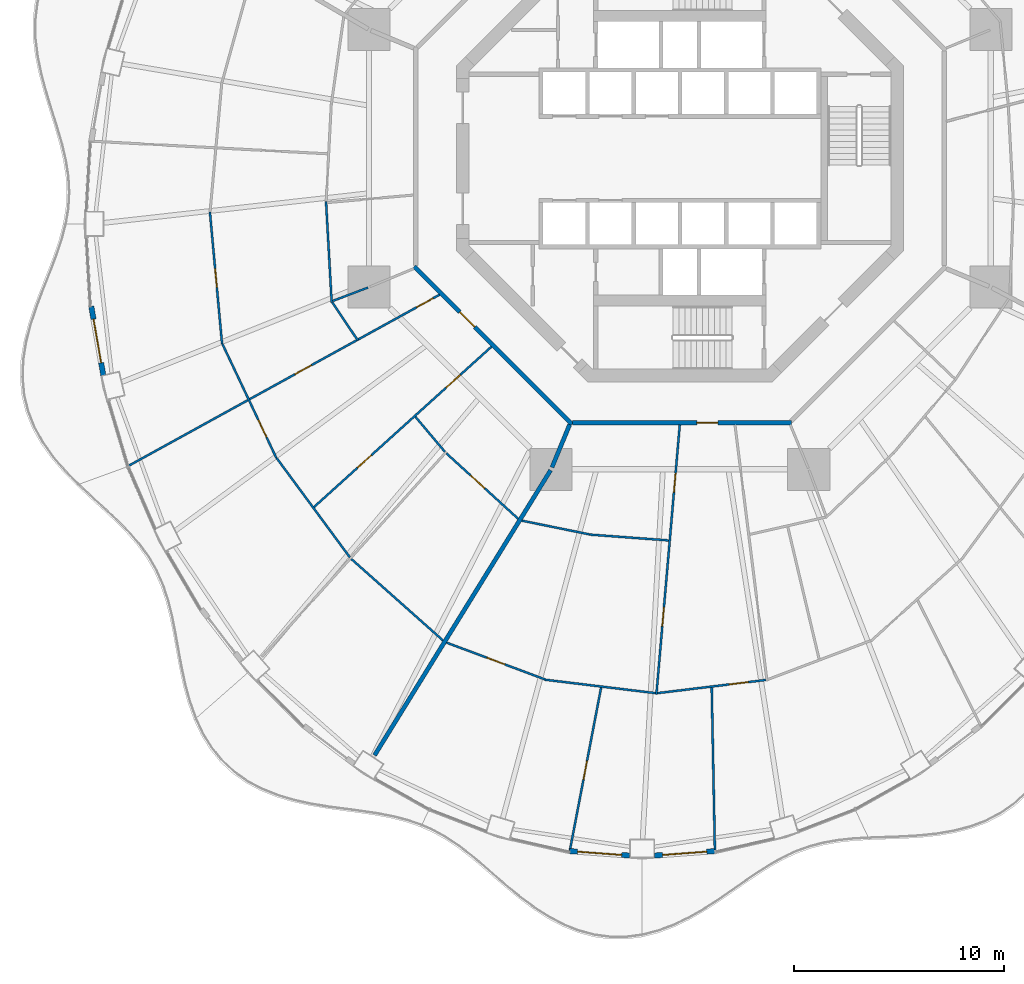
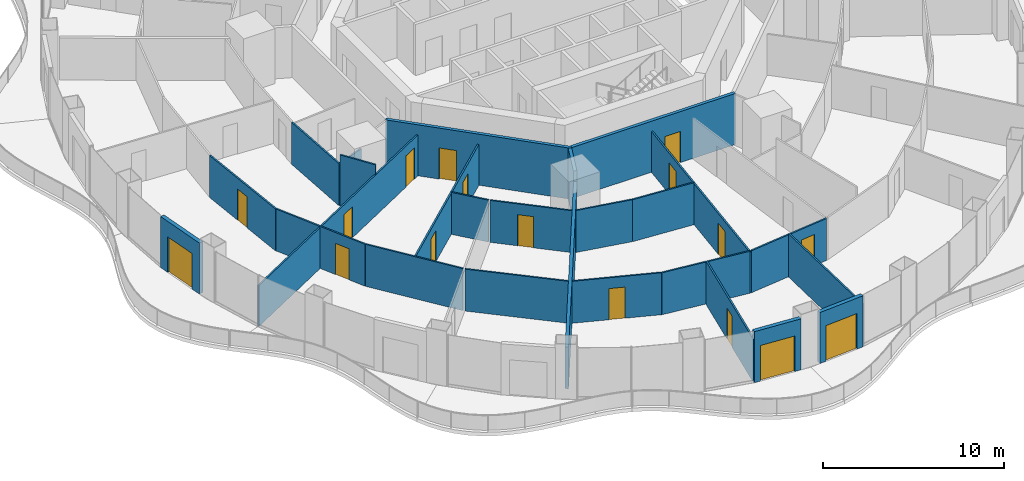
# One storey, part 13 of 21: 26 walls, 17 doors, 17 openings.
"""IFC4 building model written with IfcOpenShell, lengths in metres."""

from ifc_helpers import new_model, si_unit, direction, frame, frame_2d, origin, place, context, subcontext, project, spatial, rectangle, extrude, material, layer, layer_set, type_object, element, fill, save


model = new_model("IFC4")

# Units and contexts
model_context = context("Model", 3, precision=1e-05, world=origin(), true_north=direction((0.0, 1.0)))
body_context = subcontext(model_context, "Body", "Model", "MODEL_VIEW")
ifc_project = project(units=[si_unit("LENGTHUNIT", "METRE"), si_unit("AREAUNIT", "SQUARE_METRE"), si_unit("VOLUMEUNIT", "CUBIC_METRE"), si_unit("PLANEANGLEUNIT", "RADIAN"), si_unit("MASSUNIT", "GRAM", prefix="KILO")], contexts=[model_context])

# Site, building, storey
site_placement = place(None, origin())
site = spatial("IfcSite", under=ifc_project, at=site_placement, CompositionType="ELEMENT")
building_placement = place(site_placement, origin())
building = spatial("IfcBuilding", under=site, at=building_placement, Name="Nagisa Residences", CompositionType="ELEMENT")
storey_placement = place(building_placement, frame((0.0, 0.0, 138.10009765625)))
storey = spatial("IfcBuildingStorey", under=building, at=storey_placement, Name="L34", CompositionType="ELEMENT", Elevation=138.10009765625)

# Walls
ifc_material_1 = material(Name="Gypsum board on steel studs", Category="steel")
ifc_layer_1 = layer(ifc_material_1, 0.199951171875)
ifc_layer_set_1 = layer_set([ifc_layer_1], Name="Apartment compartment wall EI60 200")
wall_type_1 = type_object("IfcWallType", Name="Apartment compartment wall EI60 200", PredefinedType="PARTITIONING", material=ifc_layer_set_1)
wall_1_placement = place(storey_placement, frame((-5.24267578125, -12.6572265625, 0.0), z_axis=(0.0, 0.0, 1.0), x_axis=(-0.382818775282, -0.923823460025, 0.0)))
element("IfcWall", 1, at=wall_1_placement, inside=storey, type_object=wall_type_1, Name="wall:L34:u04", PredefinedType="PARTITIONING", context=body_context, shape_type="SweptSolid", body=[
    extrude(rectangle(XDim=2.200927734375, YDim=0.199951171875, at=frame_2d((1.1005859375, 0.0))), origin(), (0.0, 0.0, 1.0), 3.43994140625),
])
wall_2_placement = place(storey_placement, frame((-6.149169921875, -14.82470703125, 0.0), z_axis=(0.0, 0.0, 1.0), x_axis=(-0.525406383516, -0.85085141603, 0.0)))
element("IfcWall", 2, at=wall_2_placement, inside=storey, type_object=wall_type_1, Name="wall:L34:u05", PredefinedType="PARTITIONING", context=body_context, shape_type="SweptSolid", body=[
    extrude(rectangle(XDim=15.9248046875, YDim=0.199951171875, at=frame_2d((7.96240234375, 0.0))), origin(), (0.0, 0.0, 1.0), 2.827880859375),
])

# Wall, opening, door
ifc_material_2 = material(Name="Gypsum board on steel studs", Category="steel")
ifc_layer_2 = layer(ifc_material_2, 0.199951171875)
ifc_layer_set_2 = layer_set([ifc_layer_2], Name="Apartment entry wall EI60 200")
wall_type_2 = type_object("IfcWallType", Name="Apartment entry wall EI60 200", PredefinedType="PARTITIONING", material=ifc_layer_set_2)
wall_3_placement = place(storey_placement, frame((-12.635498046875, -5.1337890625, 0.0), z_axis=(0.0, 0.0, 1.0), x_axis=(0.707106781187, -0.707106781187, 0.0)))
wall_3 = element("IfcWall", 3, at=wall_3_placement, inside=storey, type_object=wall_type_2, Name="wall:L34:u13", PredefinedType="PARTITIONING", context=body_context, shape_type="SweptSolid", body=[
    extrude(rectangle(XDim=10.609130859375, YDim=0.199951171875, at=frame_2d((5.3046875, 0.0))), origin(), (0.0, 0.0, 1.0), 3.43994140625),
])
opening_1_placement = place(wall_3_placement, frame((3.069580078125, 0.0, 0.0)))
opening_1 = element("IfcOpeningElement", 4, at=opening_1_placement, cuts=wall_3, Name="Opening L34-U01", PredefinedType="OPENING", context=body_context, shape_type="SweptSolid", body=[
    extrude(rectangle(XDim=1.0, YDim=2.10009765625, at=frame_2d((0.5, 1.050048828125))), frame((0.0, 0.10986328125, 0.0), z_axis=(0.0, -1.0, 0.0), x_axis=(1.0, 0.0, 0.0)), (0.0, 0.0, 1.0), 0.219970703125),
])
ifc_material_3 = material(Name="Timber fire door set", Category="wood")
door_type_1 = type_object("IfcDoorType", Name="Apartment entry door FD30S 1000x2100", OperationType="NOTDEFINED", PredefinedType="DOOR", material=ifc_material_3)
door_1_placement = place(opening_1_placement, frame((1.0, 0.0, 0.0), x_axis=(-1.0, 0.0, 0.0)))
door_1 = element("IfcDoor", 5, at=door_1_placement, inside=storey, type_object=door_type_1, Name="Entry door, Apartment 34A", OperationType="SINGLE_SWING_RIGHT", OverallHeight=2.10009765625, OverallWidth=1.0, PredefinedType="DOOR", context=body_context, shape_type="SweptSolid", body=[
    extrude(rectangle(XDim=1.0, YDim=2.10009765625, at=frame_2d((0.5, 1.050048828125))), frame((0.0, 0.02490234375, 0.0), z_axis=(0.0, -1.0, 0.0), x_axis=(1.0, 0.0, 0.0)), (0.0, 0.0, 1.0), 0.050048828125),
])
fill(opening_1, door_1)

wall_4_placement = place(storey_placement, frame((-5.1044921875, -12.564697265625, 0.0), z_axis=(0.0, 0.0, 1.0), x_axis=(1.0, 0.0, 0.0)))
wall_4 = element("IfcWall", 6, at=wall_4_placement, inside=storey, type_object=wall_type_2, Name="wall:L34:u14", PredefinedType="PARTITIONING", context=body_context, shape_type="SweptSolid", body=[
    extrude(rectangle(XDim=10.408935546875, YDim=0.199951171875, at=frame_2d((5.20458984375, 0.0))), origin(), (0.0, 0.0, 1.0), 3.43994140625),
])
opening_2_placement = place(wall_4_placement, frame((5.905517578125, 0.0, 0.0)))
opening_2 = element("IfcOpeningElement", 7, at=opening_2_placement, cuts=wall_4, Name="Opening L34-U14", PredefinedType="OPENING", context=body_context, shape_type="SweptSolid", body=[
    extrude(rectangle(XDim=1.0, YDim=2.10009765625, at=frame_2d((0.5, 1.050048828125))), frame((0.0, 0.10986328125, 0.0), z_axis=(0.0, -1.0, 0.0), x_axis=(1.0, 0.0, 0.0)), (0.0, 0.0, 1.0), 0.219970703125),
])
door_2_placement = place(opening_2_placement, frame((1.0, 0.0, 0.0), x_axis=(-1.0, 0.0, 0.0)))
door_2 = element("IfcDoor", 8, at=door_2_placement, inside=storey, type_object=door_type_1, Name="Entry door, Apartment 34B", OperationType="SINGLE_SWING_LEFT", OverallHeight=2.10009765625, OverallWidth=1.0, PredefinedType="DOOR", context=body_context, shape_type="SweptSolid", body=[
    extrude(rectangle(XDim=1.0, YDim=2.10009765625, at=frame_2d((0.5, 1.050048828125))), frame((0.0, 0.02490234375, 0.0), z_axis=(0.0, -1.0, 0.0), x_axis=(1.0, 0.0, 0.0)), (0.0, 0.0, 1.0), 0.050048828125),
])
fill(opening_2, door_2)

# Wall
ifc_material_4 = material(Name="Gypsum board on steel studs", Category="steel")
ifc_layer_3 = layer(ifc_material_4, 0.10009765625)
ifc_layer_set_3 = layer_set([ifc_layer_3], Name="Apartment partition 100")
wall_type_3 = type_object("IfcWallType", Name="Apartment partition 100", PredefinedType="PARTITIONING", material=ifc_layer_set_3)
wall_5_placement = place(storey_placement, frame((-16.825439453125, -2.058349609375, 0.0), z_axis=(0.0, 0.0, 1.0), x_axis=(0.055971643802, -0.998432358796, 0.0)))
element("IfcWall", 9, at=wall_5_placement, inside=storey, type_object=wall_type_3, Name="wall:L34:u56", PredefinedType="PARTITIONING", context=body_context, shape_type="SweptSolid", body=[
    extrude(rectangle(XDim=4.798095703125, YDim=0.10009765625, at=frame_2d((2.39892578125, 0.0))), origin(), (0.0, 0.0, 1.0), 2.827880859375),
])

# Wall, opening, door
wall_6_placement = place(storey_placement, frame((-22.346923828125, -2.54248046875, 0.0), z_axis=(0.0, 0.0, 1.0), x_axis=(0.091783634244, -0.995778973711, 0.0)))
wall_6 = element("IfcWall", 10, at=wall_6_placement, inside=storey, type_object=wall_type_3, Name="wall:L34:u57", PredefinedType="PARTITIONING", context=body_context, shape_type="SweptSolid", body=[
    extrude(rectangle(XDim=6.314697265625, YDim=0.10009765625, at=frame_2d((3.1572265625, 0.0))), origin(), (0.0, 0.0, 1.0), 2.827880859375),
])
opening_3_placement = place(wall_6_placement, frame((2.70751953125, 0.0, 0.0)))
opening_3 = element("IfcOpeningElement", 11, at=opening_3_placement, cuts=wall_6, Name="Opening L34-U07", PredefinedType="OPENING", context=body_context, shape_type="SweptSolid", body=[
    extrude(rectangle(XDim=0.89990234375, YDim=2.10009765625, at=frame_2d((0.449951171875, 1.050048828125))), frame((0.0, 0.06005859375, 0.0), z_axis=(0.0, -1.0, 0.0), x_axis=(1.0, 0.0, 0.0)), (0.0, 0.0, 1.0), 0.1201171875),
])
ifc_material_5 = material(Name="Timber door set", Category="wood")
door_type_2 = type_object("IfcDoorType", Name="Apartment door 900x2100", OperationType="NOTDEFINED", PredefinedType="DOOR", material=ifc_material_5)
door_3_placement = place(opening_3_placement, frame((0.89990234375, 0.0, 0.0), x_axis=(-1.0, 0.0, 0.0)))
door_3 = element("IfcDoor", 12, at=door_3_placement, inside=storey, type_object=door_type_2, Name="Door to family room, Apartment 34A", OperationType="SINGLE_SWING_RIGHT", OverallHeight=2.10009765625, OverallWidth=0.89990234375, PredefinedType="DOOR", context=body_context, shape_type="SweptSolid", body=[
    extrude(rectangle(XDim=0.89990234375, YDim=2.10009765625, at=frame_2d((0.449951171875, 1.050048828125))), frame((0.0, 0.02490234375, 0.0), z_axis=(0.0, -1.0, 0.0), x_axis=(1.0, 0.0, 0.0)), (0.0, 0.0, 1.0), 0.050048828125),
])
fill(opening_3, door_3)

# Walls
wall_7_placement = place(storey_placement, frame((-14.828857421875, -6.140625, 0.0), z_axis=(0.0, 0.0, 1.0), x_axis=(-0.934704367514, -0.355426146128, 0.0)))
element("IfcWall", 13, at=wall_7_placement, inside=storey, type_object=wall_type_3, Name="wall:L34:u59", PredefinedType="PARTITIONING", context=body_context, shape_type="SweptSolid", body=[
    extrude(rectangle(XDim=1.8017578125, YDim=0.10009765625, at=frame_2d((0.90087890625, 0.0))), origin(), (0.0, 0.0, 1.0), 2.827880859375),
])
wall_8_placement = place(storey_placement, frame((-16.53173828125, -6.84033203125, 0.0), z_axis=(0.0, 0.0, 1.0), x_axis=(0.556994773624, -0.830515997531, 0.0)))
element("IfcWall", 14, at=wall_8_placement, inside=storey, type_object=wall_type_3, Name="wall:L34:u60", PredefinedType="PARTITIONING", context=body_context, shape_type="SweptSolid", body=[
    extrude(rectangle(XDim=2.183349609375, YDim=0.10009765625, at=frame_2d((1.091796875, 0.0))), origin(), (0.0, 0.0, 1.0), 3.43994140625),
])

# Wall, opening, door
wall_9_placement = place(storey_placement, frame((-21.75048828125, -8.826171875, 0.0), z_axis=(0.0, 0.0, 1.0), x_axis=(0.427736419988, -0.903903509793, 0.0)))
wall_9 = element("IfcWall", 15, at=wall_9_placement, inside=storey, type_object=wall_type_3, Name="wall:L34:u61", PredefinedType="PARTITIONING", context=body_context, shape_type="SweptSolid", body=[
    extrude(rectangle(XDim=5.998779296875, YDim=0.10009765625, at=frame_2d((2.99951171875, 0.0))), origin(), (0.0, 0.0, 1.0), 2.827880859375),
])
opening_4_placement = place(wall_9_placement, frame((3.999267578125, 0.0, 0.0)))
opening_4 = element("IfcOpeningElement", 16, at=opening_4_placement, cuts=wall_9, Name="Opening L34-U08", PredefinedType="OPENING", context=body_context, shape_type="SweptSolid", body=[
    extrude(rectangle(XDim=0.89990234375, YDim=2.10009765625, at=frame_2d((0.449951171875, 1.050048828125))), frame((0.0, 0.06005859375, 0.0), z_axis=(0.0, -1.0, 0.0), x_axis=(1.0, 0.0, 0.0)), (0.0, 0.0, 1.0), 0.1201171875),
])
door_4_placement = place(opening_4_placement, frame((0.89990234375, 0.0, 0.0), x_axis=(-1.0, 0.0, 0.0)))
door_4 = element("IfcDoor", 17, at=door_4_placement, inside=storey, type_object=door_type_2, Name="Door to living room, Apartment 34A", OperationType="SINGLE_SWING_LEFT", OverallHeight=2.10009765625, OverallWidth=0.89990234375, PredefinedType="DOOR", context=body_context, shape_type="SweptSolid", body=[
    extrude(rectangle(XDim=0.89990234375, YDim=2.10009765625, at=frame_2d((0.449951171875, 1.050048828125))), frame((0.0, 0.02490234375, 0.0), z_axis=(0.0, -1.0, 0.0), x_axis=(1.0, 0.0, 0.0)), (0.0, 0.0, 1.0), 0.050048828125),
])
fill(opening_4, door_4)

# Wall, openings, doors
wall_10_placement = place(storey_placement, frame((-11.42578125, -6.4794921875, 0.0), z_axis=(0.0, 0.0, 1.0), x_axis=(-0.876110392495, -0.482110547657, 0.0)))
wall_10 = element("IfcWall", 18, at=wall_10_placement, inside=storey, type_object=wall_type_3, Name="wall:L34:u62", PredefinedType="PARTITIONING", context=body_context, shape_type="SweptSolid", body=[
    extrude(rectangle(XDim=16.954833984375, YDim=0.10009765625, at=frame_2d((8.4775390625, 0.0))), origin(), (0.0, 0.0, 1.0), 2.755859375),
])
opening_5_placement = place(wall_10_placement, frame((0.35009765625, 0.0, 0.0)))
opening_5 = element("IfcOpeningElement", 19, at=opening_5_placement, cuts=wall_10, Name="Opening L34-U02", PredefinedType="OPENING", context=body_context, shape_type="SweptSolid", body=[
    extrude(rectangle(XDim=0.89990234375, YDim=2.10009765625, at=frame_2d((0.449951171875, 1.050048828125))), frame((0.0, 0.06005859375, 0.0), z_axis=(0.0, -1.0, 0.0), x_axis=(1.0, 0.0, 0.0)), (0.0, 0.0, 1.0), 0.1201171875),
])
opening_6_placement = place(wall_10_placement, frame((6.956787109375, 0.0, 0.0)))
opening_6 = element("IfcOpeningElement", 20, at=opening_6_placement, cuts=wall_10, Name="Opening L34-U04", PredefinedType="OPENING", context=body_context, shape_type="SweptSolid", body=[
    extrude(rectangle(XDim=0.89990234375, YDim=2.10009765625, at=frame_2d((0.449951171875, 1.050048828125))), frame((0.0, 0.06005859375, 0.0), z_axis=(0.0, -1.0, 0.0), x_axis=(1.0, 0.0, 0.0)), (0.0, 0.0, 1.0), 0.1201171875),
])
door_5_placement = place(opening_5_placement, frame((0.89990234375, 0.0, 0.0), x_axis=(-1.0, 0.0, 0.0)))
door_5 = element("IfcDoor", 21, at=door_5_placement, inside=storey, type_object=door_type_2, Name="Door to family bathroom, Apartment 34A", OperationType="SINGLE_SWING_LEFT", OverallHeight=2.10009765625, OverallWidth=0.89990234375, PredefinedType="DOOR", context=body_context, shape_type="SweptSolid", body=[
    extrude(rectangle(XDim=0.89990234375, YDim=2.10009765625, at=frame_2d((0.449951171875, 1.050048828125))), frame((0.0, 0.02490234375, 0.0), z_axis=(0.0, -1.0, 0.0), x_axis=(1.0, 0.0, 0.0)), (0.0, 0.0, 1.0), 0.050048828125),
])
fill(opening_5, door_5)
door_6_placement = place(opening_6_placement, frame((0.89990234375, 0.0, 0.0), x_axis=(-1.0, 0.0, 0.0)))
door_6 = element("IfcDoor", 22, at=door_6_placement, inside=storey, type_object=door_type_2, Name="Door to dining room, Apartment 34A", OperationType="SINGLE_SWING_LEFT", OverallHeight=2.10009765625, OverallWidth=0.89990234375, PredefinedType="DOOR", context=body_context, shape_type="SweptSolid", body=[
    extrude(rectangle(XDim=0.89990234375, YDim=2.10009765625, at=frame_2d((0.449951171875, 1.050048828125))), frame((0.0, 0.02490234375, 0.0), z_axis=(0.0, -1.0, 0.0), x_axis=(1.0, 0.0, 0.0)), (0.0, 0.0, 1.0), 0.050048828125),
])
fill(opening_6, door_6)

# Wall
wall_11_placement = place(storey_placement, frame((-19.17626953125, -14.24365234375, 0.0), z_axis=(0.0, 0.0, 1.0), x_axis=(0.593532053206, -0.80481035146, 0.0)))
element("IfcWall", 23, at=wall_11_placement, inside=storey, type_object=wall_type_3, Name="wall:L34:u63", PredefinedType="PARTITIONING", context=body_context, shape_type="SweptSolid", body=[
    extrude(rectangle(XDim=5.8759765625, YDim=0.10009765625, at=frame_2d((2.93798828125, 0.0))), origin(), (0.0, 0.0, 1.0), 2.827880859375),
])

# Wall, openings, doors
wall_12_placement = place(storey_placement, frame((-8.958740234375, -8.95166015625, 0.0), z_axis=(0.0, 0.0, 1.0), x_axis=(-0.741982736283, -0.670418987692, 0.0)))
wall_12 = element("IfcWall", 24, at=wall_12_placement, inside=storey, type_object=wall_type_3, Name="wall:L34:u64", PredefinedType="PARTITIONING", context=body_context, shape_type="SweptSolid", body=[
    extrude(rectangle(XDim=11.37060546875, YDim=0.10009765625, at=frame_2d((5.685302734375, 0.0))), origin(), (0.0, 0.0, 1.0), 2.755859375),
])
opening_7_placement = place(wall_12_placement, frame((2.008544921875, 0.0, 0.0)))
opening_7 = element("IfcOpeningElement", 25, at=opening_7_placement, cuts=wall_12, Name="Opening L34-U03", PredefinedType="OPENING", context=body_context, shape_type="SweptSolid", body=[
    extrude(rectangle(XDim=0.89990234375, YDim=2.10009765625, at=frame_2d((0.449951171875, 1.050048828125))), frame((0.0, 0.06005859375, 0.0), z_axis=(0.0, -1.0, 0.0), x_axis=(1.0, 0.0, 0.0)), (0.0, 0.0, 1.0), 0.1201171875),
])
opening_8_placement = place(wall_12_placement, frame((7.693603515625, 0.0, 0.0)))
opening_8 = element("IfcOpeningElement", 26, at=opening_8_placement, cuts=wall_12, Name="Opening L34-U05", PredefinedType="OPENING", context=body_context, shape_type="SweptSolid", body=[
    extrude(rectangle(XDim=0.89990234375, YDim=2.10009765625, at=frame_2d((0.449951171875, 1.050048828125))), frame((0.0, 0.06005859375, 0.0), z_axis=(0.0, -1.0, 0.0), x_axis=(1.0, 0.0, 0.0)), (0.0, 0.0, 1.0), 0.1201171875),
])
door_7_placement = place(opening_7_placement, origin())
door_7 = element("IfcDoor", 27, at=door_7_placement, inside=storey, type_object=door_type_2, Name="Door to laundry, Apartment 34A", OperationType="SINGLE_SWING_LEFT", OverallHeight=2.10009765625, OverallWidth=0.89990234375, PredefinedType="DOOR", context=body_context, shape_type="SweptSolid", body=[
    extrude(rectangle(XDim=0.89990234375, YDim=2.10009765625, at=frame_2d((0.449951171875, 1.050048828125))), frame((0.0, 0.02490234375, 0.0), z_axis=(0.0, -1.0, 0.0), x_axis=(1.0, 0.0, 0.0)), (0.0, 0.0, 1.0), 0.050048828125),
])
fill(opening_7, door_7)
door_8_placement = place(opening_8_placement, origin())
door_8 = element("IfcDoor", 28, at=door_8_placement, inside=storey, type_object=door_type_2, Name="Door to family bathroom, Apartment 34A", OperationType="SINGLE_SWING_LEFT", OverallHeight=2.10009765625, OverallWidth=0.89990234375, PredefinedType="DOOR", context=body_context, shape_type="SweptSolid", body=[
    extrude(rectangle(XDim=0.89990234375, YDim=2.10009765625, at=frame_2d((0.449951171875, 1.050048828125))), frame((0.0, 0.02490234375, 0.0), z_axis=(0.0, -1.0, 0.0), x_axis=(1.0, 0.0, 0.0)), (0.0, 0.0, 1.0), 0.050048828125),
])
fill(opening_8, door_8)

# Wall
wall_13_placement = place(storey_placement, frame((-12.574951171875, -12.286376953125, 0.0), z_axis=(0.0, 0.0, 1.0), x_axis=(0.644052758448, -0.764981074495, 0.0)))
element("IfcWall", 29, at=wall_13_placement, inside=storey, type_object=wall_type_3, Name="wall:L34:u65", PredefinedType="PARTITIONING", context=body_context, shape_type="SweptSolid", body=[
    extrude(rectangle(XDim=2.17431640625, YDim=0.10009765625, at=frame_2d((1.087158203125, 0.0))), origin(), (0.0, 0.0, 1.0), 2.827880859375),
])

# Wall, opening, door
wall_14_placement = place(storey_placement, frame((-11.10546875, -14.021484375, 0.0), z_axis=(0.0, 0.0, 1.0), x_axis=(0.738880014758, -0.673837015747, 0.0)))
wall_14 = element("IfcWall", 30, at=wall_14_placement, inside=storey, type_object=wall_type_3, Name="wall:L34:u67", PredefinedType="PARTITIONING", context=body_context, shape_type="SweptSolid", body=[
    extrude(rectangle(XDim=4.62060546875, YDim=0.10009765625, at=frame_2d((2.310302734375, 0.0))), origin(), (0.0, 0.0, 1.0), 2.827880859375),
])
opening_9_placement = place(wall_14_placement, frame((1.55810546875, 0.0, 0.0)))
opening_9 = element("IfcOpeningElement", 31, at=opening_9_placement, cuts=wall_14, Name="Opening L34-U06", PredefinedType="OPENING", context=body_context, shape_type="SweptSolid", body=[
    extrude(rectangle(XDim=0.89990234375, YDim=2.10009765625, at=frame_2d((0.449951171875, 1.050048828125))), frame((0.0, 0.06005859375, 0.0), z_axis=(0.0, -1.0, 0.0), x_axis=(1.0, 0.0, 0.0)), (0.0, 0.0, 1.0), 0.1201171875),
])
door_9_placement = place(opening_9_placement, frame((0.89990234375, 0.0, 0.0), x_axis=(-1.0, 0.0, 0.0)))
door_9 = element("IfcDoor", 32, at=door_9_placement, inside=storey, type_object=door_type_2, Name="Door to dining room, Apartment 34A", OperationType="SINGLE_SWING_LEFT", OverallHeight=2.10009765625, OverallWidth=0.89990234375, PredefinedType="DOOR", context=body_context, shape_type="SweptSolid", body=[
    extrude(rectangle(XDim=0.89990234375, YDim=2.10009765625, at=frame_2d((0.449951171875, 1.050048828125))), frame((0.0, 0.02490234375, 0.0), z_axis=(0.0, -1.0, 0.0), x_axis=(1.0, 0.0, 0.0)), (0.0, 0.0, 1.0), 0.050048828125),
])
fill(opening_9, door_9)

# Walls
wall_15_placement = place(storey_placement, frame((-15.621826171875, -19.046142578125, 0.0), z_axis=(0.0, 0.0, 1.0), x_axis=(0.747342322463, -0.664439201925, 0.0)))
element("IfcWall", 33, at=wall_15_placement, inside=storey, type_object=wall_type_3, Name="wall:L34:u68", PredefinedType="PARTITIONING", context=body_context, shape_type="SweptSolid", body=[
    extrude(rectangle(XDim=5.830810546875, YDim=0.10009765625, at=frame_2d((2.91552734375, 0.0))), origin(), (0.0, 0.0, 1.0), 2.827880859375),
])
wall_16_placement = place(storey_placement, frame((-7.51953125, -17.222412109375, 0.0), z_axis=(0.0, 0.0, 1.0), x_axis=(0.979972193175, -0.199134378255, 0.0)))
element("IfcWall", 34, at=wall_16_placement, inside=storey, type_object=wall_type_3, Name="wall:L34:u69", PredefinedType="PARTITIONING", context=body_context, shape_type="SweptSolid", body=[
    extrude(rectangle(XDim=3.296630859375, YDim=0.10009765625, at=frame_2d((1.6484375, 0.0))), origin(), (0.0, 0.0, 1.0), 2.827880859375),
])

# Wall, opening, door
wall_17_placement = place(storey_placement, frame((-11.095703125, -23.02197265625, 0.0), z_axis=(0.0, 0.0, 1.0), x_axis=(0.936725688471, -0.350064257758, 0.0)))
wall_17 = element("IfcWall", 35, at=wall_17_placement, inside=storey, type_object=wall_type_3, Name="wall:L34:u70", PredefinedType="PARTITIONING", context=body_context, shape_type="SweptSolid", body=[
    extrude(rectangle(XDim=5.002685546875, YDim=0.10009765625, at=frame_2d((2.50146484375, 0.0))), origin(), (0.0, 0.0, 1.0), 2.827880859375),
])
opening_10_placement = place(wall_17_placement, frame((2.05126953125, 0.0, 0.0)))
opening_10 = element("IfcOpeningElement", 36, at=opening_10_placement, cuts=wall_17, Name="Opening L34-U19", PredefinedType="OPENING", context=body_context, shape_type="SweptSolid", body=[
    extrude(rectangle(XDim=0.89990234375, YDim=2.10009765625, at=frame_2d((0.449951171875, 1.050048828125))), frame((0.0, 0.06005859375, 0.0), z_axis=(0.0, -1.0, 0.0), x_axis=(1.0, 0.0, 0.0)), (0.0, 0.0, 1.0), 0.1201171875),
])
door_10_placement = place(opening_10_placement, frame((0.89990234375, 0.0, 0.0), x_axis=(-1.0, 0.0, 0.0)))
door_10 = element("IfcDoor", 37, at=door_10_placement, inside=storey, type_object=door_type_2, Name="Door to dining room, Apartment 34B", OperationType="SINGLE_SWING_RIGHT", OverallHeight=2.10009765625, OverallWidth=0.89990234375, PredefinedType="DOOR", context=body_context, shape_type="SweptSolid", body=[
    extrude(rectangle(XDim=0.89990234375, YDim=2.10009765625, at=frame_2d((0.449951171875, 1.050048828125))), frame((0.0, 0.02490234375, 0.0), z_axis=(0.0, -1.0, 0.0), x_axis=(1.0, 0.0, 0.0)), (0.0, 0.0, 1.0), 0.050048828125),
])
fill(opening_10, door_10)

# Walls
wall_18_placement = place(storey_placement, frame((-4.289794921875, -17.88525390625, 0.0), z_axis=(0.0, 0.0, 1.0), x_axis=(0.997272353708, -0.073809569363, 0.0)))
element("IfcWall", 38, at=wall_18_placement, inside=storey, type_object=wall_type_3, Name="wall:L34:u71", PredefinedType="PARTITIONING", context=body_context, shape_type="SweptSolid", body=[
    extrude(rectangle(XDim=3.76416015625, YDim=0.10009765625, at=frame_2d((1.882080078125, 0.0))), origin(), (0.0, 0.0, 1.0), 2.827880859375),
])
wall_19_placement = place(storey_placement, frame((-6.41259765625, -24.784423828125, 0.0), z_axis=(0.0, 0.0, 1.0), x_axis=(0.992690077723, -0.120691381588, 0.0)))
element("IfcWall", 39, at=wall_19_placement, inside=storey, type_object=wall_type_3, Name="wall:L34:u72", PredefinedType="PARTITIONING", context=body_context, shape_type="SweptSolid", body=[
    extrude(rectangle(XDim=5.28564453125, YDim=0.10009765625, at=frame_2d((2.642822265625, 0.0))), origin(), (0.0, 0.0, 1.0), 2.827880859375),
])

# Wall, opening, door
wall_20_placement = place(storey_placement, frame((-3.748779296875, -25.15869140625, 0.0), z_axis=(0.0, 0.0, 1.0), x_axis=(-0.188392334675, -0.982093848996, 0.0)))
wall_20 = element("IfcWall", 40, at=wall_20_placement, inside=storey, type_object=wall_type_3, Name="wall:L34:u73", PredefinedType="PARTITIONING", context=body_context, shape_type="SweptSolid", body=[
    extrude(rectangle(XDim=7.999755859375, YDim=0.10009765625, at=frame_2d((4.0, 0.0))), origin(), (0.0, 0.0, 1.0), 2.90478515625),
])
opening_11_placement = place(wall_20_placement, frame((3.5498046875, 0.0, 0.0)))
opening_11 = element("IfcOpeningElement", 41, at=opening_11_placement, cuts=wall_20, Name="Opening L34-U20", PredefinedType="OPENING", context=body_context, shape_type="SweptSolid", body=[
    extrude(rectangle(XDim=0.89990234375, YDim=2.10009765625, at=frame_2d((0.449951171875, 1.050048828125))), frame((0.0, 0.06005859375, 0.0), z_axis=(0.0, -1.0, 0.0), x_axis=(1.0, 0.0, 0.0)), (0.0, 0.0, 1.0), 0.1201171875),
])
door_11_placement = place(opening_11_placement, origin())
door_11 = element("IfcDoor", 42, at=door_11_placement, inside=storey, type_object=door_type_2, Name="Door to master bedroom, Apartment 34B", OperationType="SINGLE_SWING_RIGHT", OverallHeight=2.10009765625, OverallWidth=0.89990234375, PredefinedType="DOOR", context=body_context, shape_type="SweptSolid", body=[
    extrude(rectangle(XDim=0.89990234375, YDim=2.10009765625, at=frame_2d((0.449951171875, 1.050048828125))), frame((0.0, 0.02490234375, 0.0), z_axis=(0.0, -1.0, 0.0), x_axis=(1.0, 0.0, 0.0)), (0.0, 0.0, 1.0), 0.050048828125),
])
fill(opening_11, door_11)

# Wall, openings, doors
wall_21_placement = place(storey_placement, frame((-0.008544921875, -12.664306640625, 0.0), z_axis=(0.0, 0.0, 1.0), x_axis=(-0.086441225464, -0.996256952066, 0.0)))
wall_21 = element("IfcWall", 43, at=wall_21_placement, inside=storey, type_object=wall_type_3, Name="wall:L34:u74", PredefinedType="PARTITIONING", context=body_context, shape_type="SweptSolid", body=[
    extrude(rectangle(XDim=12.862060546875, YDim=0.10009765625, at=frame_2d((6.43115234375, 0.0))), origin(), (0.0, 0.0, 1.0), 2.755859375),
])
opening_12_placement = place(wall_21_placement, frame((2.3115234375, 0.0, 0.0)))
opening_12 = element("IfcOpeningElement", 44, at=opening_12_placement, cuts=wall_21, Name="Opening L34-U15", PredefinedType="OPENING", context=body_context, shape_type="SweptSolid", body=[
    extrude(rectangle(XDim=0.89990234375, YDim=2.10009765625, at=frame_2d((0.449951171875, 1.050048828125))), frame((0.0, 0.06005859375, 0.0), z_axis=(0.0, -1.0, 0.0), x_axis=(1.0, 0.0, 0.0)), (0.0, 0.0, 1.0), 0.1201171875),
])
opening_13_placement = place(wall_21_placement, frame((8.717529296875, 0.0, 0.0)))
opening_13 = element("IfcOpeningElement", 45, at=opening_13_placement, cuts=wall_21, Name="Opening L34-U17", PredefinedType="OPENING", context=body_context, shape_type="SweptSolid", body=[
    extrude(rectangle(XDim=0.89990234375, YDim=2.10009765625, at=frame_2d((0.449951171875, 1.050048828125))), frame((0.0, 0.06005859375, 0.0), z_axis=(0.0, -1.0, 0.0), x_axis=(1.0, 0.0, 0.0)), (0.0, 0.0, 1.0), 0.1201171875),
])
door_12_placement = place(opening_12_placement, frame((0.89990234375, 0.0, 0.0), x_axis=(-1.0, 0.0, 0.0)))
door_12 = element("IfcDoor", 46, at=door_12_placement, inside=storey, type_object=door_type_2, Name="Door to store, Apartment 34B", OperationType="SINGLE_SWING_RIGHT", OverallHeight=2.10009765625, OverallWidth=0.89990234375, PredefinedType="DOOR", context=body_context, shape_type="SweptSolid", body=[
    extrude(rectangle(XDim=0.89990234375, YDim=2.10009765625, at=frame_2d((0.449951171875, 1.050048828125))), frame((0.0, 0.02490234375, 0.0), z_axis=(0.0, -1.0, 0.0), x_axis=(1.0, 0.0, 0.0)), (0.0, 0.0, 1.0), 0.050048828125),
])
fill(opening_12, door_12)
door_13_placement = place(opening_13_placement, frame((0.89990234375, 0.0, 0.0), x_axis=(-1.0, 0.0, 0.0)))
door_13 = element("IfcDoor", 47, at=door_13_placement, inside=storey, type_object=door_type_2, Name="Door to dining room, Apartment 34B", OperationType="SINGLE_SWING_RIGHT", OverallHeight=2.10009765625, OverallWidth=0.89990234375, PredefinedType="DOOR", context=body_context, shape_type="SweptSolid", body=[
    extrude(rectangle(XDim=0.89990234375, YDim=2.10009765625, at=frame_2d((0.449951171875, 1.050048828125))), frame((0.0, 0.02490234375, 0.0), z_axis=(0.0, -1.0, 0.0), x_axis=(1.0, 0.0, 0.0)), (0.0, 0.0, 1.0), 0.050048828125),
])
fill(opening_13, door_13)

# Wall, opening, door
wall_22_placement = place(storey_placement, frame((-1.06640625, -25.42236328125, 0.0), z_axis=(0.0, 0.0, 1.0), x_axis=(0.992692993044, 0.120667400577, 0.0)))
wall_22 = element("IfcWall", 48, at=wall_22_placement, inside=storey, type_object=wall_type_3, Name="wall:L34:u75", PredefinedType="PARTITIONING", context=body_context, shape_type="SweptSolid", body=[
    extrude(rectangle(XDim=5.185546875, YDim=0.10009765625, at=frame_2d((2.5927734375, 0.0))), origin(), (0.0, 0.0, 1.0), 2.827880859375),
])
opening_14_placement = place(wall_22_placement, frame((3.439208984375, 0.0, 0.0)))
opening_14 = element("IfcOpeningElement", 49, at=opening_14_placement, cuts=wall_22, Name="Opening L34-U21", PredefinedType="OPENING", context=body_context, shape_type="SweptSolid", body=[
    extrude(rectangle(XDim=0.89990234375, YDim=2.10009765625, at=frame_2d((0.449951171875, 1.050048828125))), frame((0.0, 0.06005859375, 0.0), z_axis=(0.0, -1.0, 0.0), x_axis=(1.0, 0.0, 0.0)), (0.0, 0.0, 1.0), 0.1201171875),
])
door_14_placement = place(opening_14_placement, frame((0.89990234375, 0.0, 0.0), x_axis=(-1.0, 0.0, 0.0)))
door_14 = element("IfcDoor", 50, at=door_14_placement, inside=storey, type_object=door_type_2, Name="Door to living room, Apartment 34B", OperationType="SINGLE_SWING_RIGHT", OverallHeight=2.10009765625, OverallWidth=0.89990234375, PredefinedType="DOOR", context=body_context, shape_type="SweptSolid", body=[
    extrude(rectangle(XDim=0.89990234375, YDim=2.10009765625, at=frame_2d((0.449951171875, 1.050048828125))), frame((0.0, 0.02490234375, 0.0), z_axis=(0.0, -1.0, 0.0), x_axis=(1.0, 0.0, 0.0)), (0.0, 0.0, 1.0), 0.050048828125),
])
fill(opening_14, door_14)

# Wall
wall_23_placement = place(storey_placement, frame((1.50830078125, -25.159423828125, 0.0), z_axis=(0.0, 0.0, 1.0), x_axis=(0.019670464527, -0.999806517695, 0.0)))
element("IfcWall", 51, at=wall_23_placement, inside=storey, type_object=wall_type_3, Name="wall:L34:u76", PredefinedType="PARTITIONING", context=body_context, shape_type="SweptSolid", body=[
    extrude(rectangle(XDim=7.8564453125, YDim=0.10009765625, at=frame_2d((3.92822265625, 0.0))), origin(), (0.0, 0.0, 1.0), 2.90478515625),
])

# Wall, opening, door
ifc_material_6 = material(Name="Precast concrete C40/50", Category="concrete")
ifc_layer_4 = layer(ifc_material_6, 0.25)
ifc_layer_set_4 = layer_set([ifc_layer_4], Name="BALCONY DOOR WALL 250")
wall_type_4 = type_object("IfcWallType", Name="BALCONY DOOR WALL 250", PredefinedType="SOLIDWALL", material=ifc_layer_set_4)
wall_24_placement = place(storey_placement, frame((-27.4111328125, -10.320068359375, 0.0), z_axis=(0.0, 0.0, 1.0), x_axis=(-0.172163521006, 0.985068384446, 0.0)))
wall_24 = element("IfcWall", 52, at=wall_24_placement, inside=storey, type_object=wall_type_4, Name="wall:L34:bay25", PredefinedType="SOLIDWALL", context=body_context, shape_type="SweptSolid", body=[
    extrude(rectangle(XDim=3.33251953125, YDim=0.25, at=frame_2d((1.666259765625, 0.0))), origin(), (0.0, 0.0, 1.0), 3.43994140625),
])
opening_15_placement = place(wall_24_placement, frame((0.6162109375, 0.0, 0.0)))
opening_15 = element("IfcOpeningElement", 53, at=opening_15_placement, cuts=wall_24, Name="Opening BD-L34-09", PredefinedType="OPENING", context=body_context, shape_type="SweptSolid", body=[
    extrude(rectangle(XDim=2.10009765625, YDim=2.39990234375, at=frame_2d((1.050048828125, 1.199951171875))), frame((0.0, 0.135009765625, 0.0), z_axis=(0.0, -1.0, 0.0), x_axis=(1.0, 0.0, 0.0)), (0.0, 0.0, 1.0), 0.27001953125),
])
ifc_material_7 = material(Name="Aluminium and clear glass", Category="aluminium")
door_type_3 = type_object("IfcDoorType", Name="BALCONY SLIDING DOOR 2100x2400", OperationType="SLIDING_TO_LEFT", PredefinedType="DOOR", material=ifc_material_7)
door_15_placement = place(opening_15_placement, origin())
door_15 = element("IfcDoor", 54, at=door_15_placement, inside=storey, type_object=door_type_3, Name="door:L34:bay25", OperationType="SLIDING_TO_LEFT", OverallHeight=2.39990234375, OverallWidth=2.10009765625, PredefinedType="DOOR", context=body_context, shape_type="SweptSolid", body=[
    extrude(rectangle(XDim=2.10009765625, YDim=2.39990234375, at=frame_2d((1.050048828125, 1.199951171875))), frame((0.0, 0.02490234375, 0.0), z_axis=(0.0, -1.0, 0.0), x_axis=(1.0, 0.0, 0.0)), (0.0, 0.0, 1.0), 0.050048828125),
])
fill(opening_15, door_15)

wall_25_placement = place(storey_placement, frame((-2.38916015625, -33.143310546875, 0.0), z_axis=(0.0, 0.0, 1.0), x_axis=(-0.997231697044, 0.074356858535, 0.0)))
wall_25 = element("IfcWall", 55, at=wall_25_placement, inside=storey, type_object=wall_type_4, Name="wall:L34:bay35", PredefinedType="SOLIDWALL", context=body_context, shape_type="SweptSolid", body=[
    extrude(rectangle(XDim=2.873046875, YDim=0.25, at=frame_2d((1.4365234375, 0.0))), origin(), (0.0, 0.0, 1.0), 3.43994140625),
])
opening_16_placement = place(wall_25_placement, frame((0.386474609375, 0.0, 0.0)))
opening_16 = element("IfcOpeningElement", 56, at=opening_16_placement, cuts=wall_25, Name="Opening BD-L34-12", PredefinedType="OPENING", context=body_context, shape_type="SweptSolid", body=[
    extrude(rectangle(XDim=2.10009765625, YDim=2.39990234375, at=frame_2d((1.050048828125, 1.199951171875))), frame((0.0, 0.135009765625, 0.0), z_axis=(0.0, -1.0, 0.0), x_axis=(1.0, 0.0, 0.0)), (0.0, 0.0, 1.0), 0.27001953125),
])
door_16_placement = place(opening_16_placement, origin())
door_16 = element("IfcDoor", 57, at=door_16_placement, inside=storey, type_object=door_type_3, Name="door:L34:bay35", OperationType="SLIDING_TO_LEFT", OverallHeight=2.39990234375, OverallWidth=2.10009765625, PredefinedType="DOOR", context=body_context, shape_type="SweptSolid", body=[
    extrude(rectangle(XDim=2.10009765625, YDim=2.39990234375, at=frame_2d((1.050048828125, 1.199951171875))), frame((0.0, 0.02490234375, 0.0), z_axis=(0.0, -1.0, 0.0), x_axis=(1.0, 0.0, 0.0)), (0.0, 0.0, 1.0), 0.050048828125),
])
fill(opening_16, door_16)

wall_26_placement = place(storey_placement, frame((1.654296875, -32.9296875, 0.0), z_axis=(0.0, 0.0, 1.0), x_axis=(-0.997232166829, -0.074350557769, 0.0)))
wall_26 = element("IfcWall", 58, at=wall_26_placement, inside=storey, type_object=wall_type_4, Name="wall:L34:bay36", PredefinedType="SOLIDWALL", context=body_context, shape_type="SweptSolid", body=[
    extrude(rectangle(XDim=2.873291015625, YDim=0.25, at=frame_2d((1.4365234375, 0.0))), origin(), (0.0, 0.0, 1.0), 3.43994140625),
])
opening_17_placement = place(wall_26_placement, frame((0.386474609375, 0.0, 0.0)))
opening_17 = element("IfcOpeningElement", 59, at=opening_17_placement, cuts=wall_26, Name="Opening BD-L34-13", PredefinedType="OPENING", context=body_context, shape_type="SweptSolid", body=[
    extrude(rectangle(XDim=2.10009765625, YDim=2.39990234375, at=frame_2d((1.050048828125, 1.199951171875))), frame((0.0, 0.135009765625, 0.0), z_axis=(0.0, -1.0, 0.0), x_axis=(1.0, 0.0, 0.0)), (0.0, 0.0, 1.0), 0.27001953125),
])
door_17_placement = place(opening_17_placement, origin())
door_17 = element("IfcDoor", 60, at=door_17_placement, inside=storey, type_object=door_type_3, Name="door:L34:bay36", OperationType="SLIDING_TO_LEFT", OverallHeight=2.39990234375, OverallWidth=2.10009765625, PredefinedType="DOOR", context=body_context, shape_type="SweptSolid", body=[
    extrude(rectangle(XDim=2.10009765625, YDim=2.39990234375, at=frame_2d((1.050048828125, 1.199951171875))), frame((0.0, 0.02490234375, 0.0), z_axis=(0.0, -1.0, 0.0), x_axis=(1.0, 0.0, 0.0)), (0.0, 0.0, 1.0), 0.050048828125),
])
fill(opening_17, door_17)

save(model, "model.ifc")
